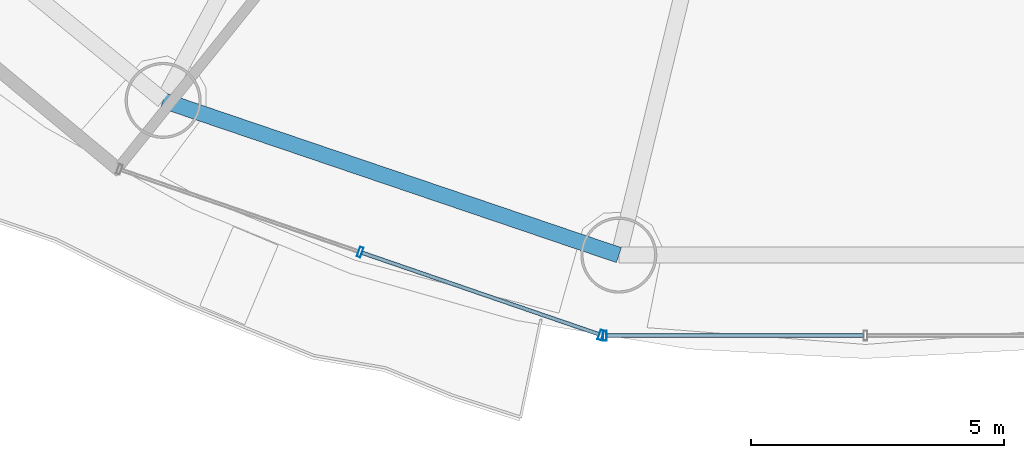
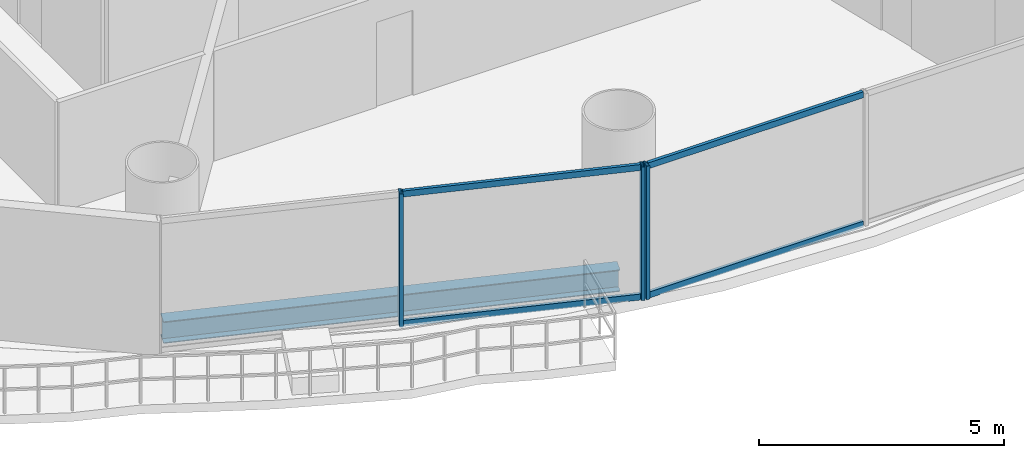
# One storey, part 4 of 29: 7 members, 1 beam, 2 elements without a shape of their own.
"""IFC4 building model written with IfcOpenShell, lengths in metres."""

import ifcopenshell
import ifcopenshell.guid

model = None  # the IFC model being written
_history = None  # IfcOwnerHistory: only IFC2X3 demands one
_inside = {}  # id of a spatial element -> (the spatial element, [elements in it])
_under = {}  # id of a project, library or spatial element -> (it, [spatial elements below it])
_declared = {}  # id of a project -> (the project, [libraries it declares])
_typed = {}  # id of a type object -> (the type object, [elements of that type])
_made_of = {}  # id of a material, layer set ... -> (it, [elements and type objects made of it])


def new_model(schema):
    """Start an empty IFC model of exactly this schema.

    Asked for "IFC4X3", IfcOpenShell would pick the latest addendum, in which some entities
    have other attributes; the version numbers below select the first issue.
    IFC2X3 requires an IfcOwnerHistory on every rooted entity: one is made here for all.
    """
    global model, _history
    if schema == "IFC4X3":
        model = ifcopenshell.file(schema_version=(4, 3, 0, 0))
    else:
        model = ifcopenshell.file(schema=schema)
    _inside.clear()
    _under.clear()
    _declared.clear()
    _typed.clear()
    _made_of.clear()
    _history = None
    if model.schema == "IFC2X3":
        org = make("IfcOrganization", Name="unknown")
        user = make(
            "IfcPersonAndOrganization",
            ThePerson=make("IfcPerson", FamilyName="unknown"),
            TheOrganization=org,
        )
        app = make(
            "IfcApplication",
            ApplicationDeveloper=org,
            Version="unknown",
            ApplicationFullName="unknown",
            ApplicationIdentifier="unknown",
        )
        _history = make(
            "IfcOwnerHistory",
            OwningUser=user,
            OwningApplication=app,
            ChangeAction="ADDED",
            CreationDate=0,
        )
    return model


def make(cls, **values):
    """One entity of the class cls with the attributes given. An attribute that is None is left unset."""
    return model.create_entity(
        cls, **{name: value for name, value in values.items() if value is not None}
    )


def rooted(cls, **values):
    """An entity with a GlobalId (a new one), such as an element, a storey or a relation."""
    return make(cls, GlobalId=ifcopenshell.guid.new(), OwnerHistory=_history, **values)


def si_unit(unit_type, name, prefix=None):
    """IfcSIUnit, for example si_unit("LENGTHUNIT", "METRE", prefix="MILLI")."""
    return make("IfcSIUnit", UnitType=unit_type, Prefix=prefix, Name=name)


def assignment(units):
    """IfcUnitAssignment: the units of a project."""
    return None if units is None else make("IfcUnitAssignment", Units=units)


def point(xyz):
    """IfcCartesianPoint."""
    return None if xyz is None else make("IfcCartesianPoint", Coordinates=xyz)


def direction(xyz):
    """IfcDirection."""
    return None if xyz is None else make("IfcDirection", DirectionRatios=xyz)


def frame(location, z_axis=None, x_axis=None):
    """IfcAxis2Placement3D, a coordinate frame: its origin and axes. An axis left out is left unset."""
    return make(
        "IfcAxis2Placement3D",
        Location=point(location),
        Axis=direction(z_axis),
        RefDirection=direction(x_axis),
    )


def frame_2d(location, x_axis=None):
    """IfcAxis2Placement2D, a coordinate frame in the plane: its origin and x axis."""
    return make(
        "IfcAxis2Placement2D", Location=point(location), RefDirection=direction(x_axis)
    )


def origin():
    """The frame at (0, 0, 0) with its axes left unset."""
    return frame((0.0, 0.0, 0.0))


def origin_2d():
    """The frame at (0, 0) in the plane with its x axis left unset."""
    return frame_2d((0.0, 0.0))


def place(relative_to, where):
    """IfcLocalPlacement: puts the frame where relative to a parent placement (None: the world)."""
    return make(
        "IfcLocalPlacement", PlacementRelTo=relative_to, RelativePlacement=where
    )


def context(
    kind, dimensions, precision=None, world=None, true_north=None, identifier=None
):
    """IfcGeometricRepresentationContext, for example the 3D "Model" context."""
    return make(
        "IfcGeometricRepresentationContext",
        ContextIdentifier=identifier,
        ContextType=kind,
        CoordinateSpaceDimension=dimensions,
        Precision=precision,
        WorldCoordinateSystem=world,
        TrueNorth=true_north,
    )


def subcontext(parent, identifier, kind, view, scale=None):
    """IfcGeometricRepresentationSubContext, for example "Body" below "Model"."""
    return make(
        "IfcGeometricRepresentationSubContext",
        ContextIdentifier=identifier,
        ContextType=kind,
        ParentContext=parent,
        TargetScale=scale,
        TargetView=view,
    )


def project(units=None, contexts=None):
    """IfcProject with its units and contexts."""
    return rooted(
        "IfcProject",
        Name="project",
        RepresentationContexts=contexts,
        UnitsInContext=assignment(units),
    )


def spatial(cls, under=None, at=None, **own):
    """A site, building, storey or space (cls), placed at a placement, below another one or the project."""
    s = rooted(cls, ObjectPlacement=at, **own)
    if under is not None:
        _under.setdefault(under.id(), (under, []))[1].append(s)
    return s


def profile(cls, at=None, kind="AREA", **sizes):
    """A parametric profile (cls). Its sizes go by their IFC names, for example OverallWidth=200.0."""
    return make(cls, ProfileType=kind, Position=at, **sizes)


def hollow_rectangle(**sizes):
    """IfcRectangleHollowProfileDef."""
    return profile("IfcRectangleHollowProfileDef", **sizes)


def i_section(**sizes):
    """IfcIShapeProfileDef."""
    return profile("IfcIShapeProfileDef", **sizes)


def extrude(swept, where, along, depth):
    """IfcExtrudedAreaSolid: the profile swept, set in the frame where, extruded along a direction by depth."""
    return make(
        "IfcExtrudedAreaSolid",
        SweptArea=swept,
        Position=where,
        ExtrudedDirection=direction(along),
        Depth=depth,
    )


def shape(context_of_items, identifier, shape_type, items):
    """IfcShapeRepresentation: the items that make up one representation, for example the "Body"."""
    return make(
        "IfcShapeRepresentation",
        ContextOfItems=context_of_items,
        RepresentationIdentifier=identifier,
        RepresentationType=shape_type,
        Items=items,
    )


def source(mapping_origin, context_of_items, identifier, shape_type, items):
    """IfcRepresentationMap: a shape defined once, which mapped items show again and again."""
    return make(
        "IfcRepresentationMap",
        MappingOrigin=mapping_origin,
        MappedRepresentation=shape(context_of_items, identifier, shape_type, items),
    )


def transform(
    local_origin,
    x_axis=None,
    y_axis=None,
    z_axis=None,
    scale=None,
    scale2=None,
    scale3=None,
    uniform=True,
):
    """IfcCartesianTransformationOperator3D, or its non-uniform kind. x_axis, y_axis, z_axis: its Axis1, 2, 3."""
    if uniform:
        return make(
            "IfcCartesianTransformationOperator3D",
            Axis1=direction(x_axis),
            Axis2=direction(y_axis),
            LocalOrigin=point(local_origin),
            Scale=scale,
            Axis3=direction(z_axis),
        )
    return make(
        "IfcCartesianTransformationOperator3DnonUniform",
        Axis1=direction(x_axis),
        Axis2=direction(y_axis),
        LocalOrigin=point(local_origin),
        Scale=scale,
        Axis3=direction(z_axis),
        Scale2=scale2,
        Scale3=scale3,
    )


def mapped(mapping_source, mapping_target):
    """IfcMappedItem: shows the shape of a source again, moved by a transform."""
    return make(
        "IfcMappedItem", MappingSource=mapping_source, MappingTarget=mapping_target
    )


def material(Name=None, Category=None):
    """IfcMaterial."""
    return make("IfcMaterial", Name=Name, Category=Category)


def material_profile(
    of_material, cross_section, Name=None, Category=None, Priority=None
):
    """IfcMaterialProfile: a cross section and its material."""
    return make(
        "IfcMaterialProfile",
        Name=Name,
        Material=of_material,
        Profile=cross_section,
        Priority=Priority,
        Category=Category,
    )


def profile_set(profiles, Name=None, composite=None):
    """IfcMaterialProfileSet."""
    return make(
        "IfcMaterialProfileSet",
        Name=Name,
        MaterialProfiles=profiles,
        CompositeProfile=composite,
    )


def made_of(thing, what):
    """Note that an element or type object is made of a material, layer set ...; save() writes the relation."""
    if what is not None:
        _made_of.setdefault(what.id(), (what, []))[1].append(thing)
    return thing


def type_object(cls, material=None, **own):
    """A type object (cls), such as IfcWallType, which elements share."""
    return made_of(rooted(cls, **own), material)


def element(
    cls,
    number,
    at=None,
    inside=None,
    cuts=None,
    type_object=None,
    material=None,
    context=None,
    identifier="Body",
    shape_type=None,
    held_by="IfcProductDefinitionShape",
    body=None,
    shapes=None,
    **own,
):
    """One element of the class cls, such as IfcWall. Its Tag is "e" and its number.

    at: its placement. inside: the storey or other place that contains it. cuts: it is an
    opening in that element (IfcRelVoidsElement). A single representation is given by context,
    identifier, shape_type and body (its items); several are given by shapes. held_by: the class
    of the entity that holds the representations. save() writes the other relations.
    """
    e = rooted(cls, Tag="e%d" % number, ObjectPlacement=at, **own)
    if body is not None:
        shapes = [shape(context, identifier, shape_type, body)]
    if shapes is not None:
        e.Representation = make(held_by, Representations=shapes)
    if inside is not None:
        _inside.setdefault(inside.id(), (inside, []))[1].append(e)
    if cuts is not None:
        rooted(
            "IfcRelVoidsElement", RelatingBuildingElement=cuts, RelatedOpeningElement=e
        )
    if type_object is not None:
        _typed.setdefault(type_object.id(), (type_object, []))[1].append(e)
    return made_of(e, material)


def aggregate(whole, parts):
    """IfcRelAggregates: a whole, such as a stair, and the parts it consists of."""
    return rooted("IfcRelAggregates", RelatingObject=whole, RelatedObjects=parts)


def save(model, path):
    """Write the relations noted so far, then the file.

    IfcRelAggregates (storeys below a building ...), IfcRelContainedInSpatialStructure (elements
    in a storey), IfcRelDefinesByType, IfcRelAssociatesMaterial and IfcRelDeclares: one each for
    every whole, place, type object, material and project.
    """
    for whole, parts in _under.values():
        aggregate(whole, parts)
    for where, things in _inside.values():
        rooted(
            "IfcRelContainedInSpatialStructure",
            RelatedElements=things,
            RelatingStructure=where,
        )
    for kind, things in _typed.values():
        rooted("IfcRelDefinesByType", RelatedObjects=things, RelatingType=kind)
    for what, things in _made_of.values():
        rooted("IfcRelAssociatesMaterial", RelatedObjects=things, RelatingMaterial=what)
    for by, libraries in _declared.values():
        rooted("IfcRelDeclares", RelatingContext=by, RelatedDefinitions=libraries)
    model.write(path)


model = new_model("IFC4")

# Units and contexts
model_context = context("Model", 3, precision=1e-05, world=origin(), true_north=direction((-0.2419218956, 0.970295726276)))
body_context = subcontext(model_context, "Body", "Model", "MODEL_VIEW")
ifc_project = project(units=[si_unit("LENGTHUNIT", "METRE"), si_unit("AREAUNIT", "SQUARE_METRE"), si_unit("VOLUMEUNIT", "CUBIC_METRE"), si_unit("PLANEANGLEUNIT", "RADIAN"), si_unit("MASSUNIT", "GRAM", prefix="KILO")], contexts=[model_context])

# Site, building, storey
site_placement = place(None, origin())
site = spatial("IfcSite", under=ifc_project, at=site_placement, CompositionType="ELEMENT")
building_placement = place(site_placement, origin())
building = spatial("IfcBuilding", under=site, at=building_placement, Name="Cobrevalo Terracotta Tower", CompositionType="ELEMENT")
storey_placement = place(building_placement, frame((0.0, 0.0, 115.800048828125)))
storey = spatial("IfcBuildingStorey", under=building, at=storey_placement, Name="L30", CompositionType="ELEMENT", Elevation=115.800048828125)

# Beam
ifc_material_1 = material(Name="Steel S355", Category="steel")
ifc_material_profile_1 = material_profile(ifc_material_1, i_section(OverallWidth=0.31201171875, OverallDepth=0.54296875, WebThickness=0.0126953125, FlangeThickness=0.020263671875, at=origin_2d()), Name="W 530x150")
ifc_profile_set_1 = profile_set([ifc_material_profile_1], Name="Steel S355")
beam_type = type_object("IfcBeamType", Name="Structural Spandrel W 530x150 (Steel S355)", PredefinedType="SPANDREL", material=ifc_profile_set_1)
beam_placement = place(storey_placement, frame((24.138427734375, 9.79638671875, -0.546630859375), z_axis=(0.94691835344, -0.321474154356, 0.0), x_axis=(0.321474154356, 0.94691835344, 0.0)))
element("IfcBeam", 1, at=beam_placement, inside=storey, type_object=beam_type, Name="L30 perimeter ring spandrel 11", PredefinedType="SPANDREL", context=body_context, shape_type="SweptSolid", body=[
    extrude(i_section(OverallWidth=0.31201171875, OverallDepth=0.54296875, WebThickness=0.0126953125, FlangeThickness=0.020263671875, at=origin_2d()), origin(), (0.0, 0.0, 1.0), 9.498291015625),
])

# Curtain wall, members
ifc_material_2 = material(Name="Anodized aluminium", Category="aluminium")
curtain_wall_type = type_object("IfcCurtainWallType", Name="Lower-tower unitised acoustic low-E curtain wall CW-U1", PredefinedType="NOTDEFINED", material=ifc_material_2)
curtain_wall_1_placement = place(storey_placement, origin())
curtain_wall_1 = element("IfcCurtainWall", 2, at=curtain_wall_1_placement, inside=storey, type_object=curtain_wall_type, Name="L30 curtain wall CW-L30-S11", PredefinedType="NOTDEFINED")
ifc_material_profile_2 = material_profile(ifc_material_2, hollow_rectangle(XDim=0.074951171875, YDim=0.199951171875, WallThickness=0.0048828125, at=origin_2d()), Name="CWM 75x200")
ifc_profile_set_2 = profile_set([ifc_material_profile_2], Name="Anodized aluminium")
member_type_1 = type_object("IfcMemberType", Name="Lower/mid tower unitised mullion 75x200", PredefinedType="MULLION", material=ifc_profile_set_2)
shared_shape_1 = source(origin(), body_context, "Body", "SweptSolid", [
    extrude(hollow_rectangle(XDim=0.074951171875, YDim=0.199951171875, WallThickness=0.0048828125, at=origin_2d()), origin(), (0.0, 0.0, 1.0), 3.324951171875),
])
member_1_placement = place(storey_placement, frame((28.027587890625, 6.8017578125, 0.0), z_axis=(0.0, 0.0, 1.0), x_axis=(0.94559809868, -0.325337110968, 0.0)))
member_1 = element("IfcMember", 3, at=member_1_placement, type_object=member_type_1, Name="CW-L30-S11 vertical mullion 02", PredefinedType="MULLION", context=body_context, shape_type="MappedRepresentation", body=[
    mapped(shared_shape_1, transform((0.0, 0.0, 0.0), scale=1.0)),
])
member_2_placement = place(storey_placement, frame((32.778564453125, 5.1669921875, 0.0), z_axis=(0.0, 0.0, 1.0), x_axis=(0.94559809868, -0.325337110968, 0.0)))
member_2 = element("IfcMember", 4, at=member_2_placement, type_object=member_type_1, Name="CW-L30-S11 vertical mullion 03", PredefinedType="MULLION", context=body_context, shape_type="MappedRepresentation", body=[
    mapped(shared_shape_1, transform((0.0, 0.0, 0.0), scale=1.0)),
])

# Curtain wall, member
curtain_wall_2_placement = place(storey_placement, origin())
curtain_wall_2 = element("IfcCurtainWall", 5, at=curtain_wall_2_placement, inside=storey, type_object=curtain_wall_type, Name="L30 curtain wall CW-L30-S12", PredefinedType="NOTDEFINED")
member_3_placement = place(storey_placement, frame((32.8564453125, 5.154052734375, 0.0), z_axis=(0.0, 0.0, 1.0), x_axis=(1.0, 0.0, 0.0)))
member_3 = element("IfcMember", 6, at=member_3_placement, type_object=member_type_1, Name="CW-L30-S12 vertical mullion 01", PredefinedType="MULLION", context=body_context, shape_type="MappedRepresentation", body=[
    mapped(shared_shape_1, transform((0.0, 0.0, 0.0), scale=1.0)),
])

# Member
ifc_material_profile_3 = material_profile(ifc_material_2, hollow_rectangle(XDim=0.074951171875, YDim=0.14990234375, WallThickness=0.00439453125, at=origin_2d()), Name="CWT 75x150")
ifc_profile_set_3 = profile_set([ifc_material_profile_3], Name="Anodized aluminium")
member_type_2 = type_object("IfcMemberType", Name="Tower unitised aluminium transom 75x150", PredefinedType="USERDEFINED", material=ifc_profile_set_3)
shared_shape_2 = source(origin(), body_context, "Body", "SweptSolid", [
    extrude(hollow_rectangle(XDim=0.074951171875, YDim=0.14990234375, WallThickness=0.00439453125, at=origin_2d()), origin(), (0.0, 0.0, 1.0), 4.944580078125),
])
member_4_placement = place(storey_placement, frame((28.065185546875, 6.788818359375, 0.050048828125), z_axis=(0.945597859971, -0.32533780478, 0.0), x_axis=(0.32533780478, 0.945597859971, 0.0)))
member_4 = element("IfcMember", 7, at=member_4_placement, type_object=member_type_2, Name="CW-L30-S11 transom B02-T1", ObjectType="TRANSOM", PredefinedType="USERDEFINED", context=body_context, shape_type="MappedRepresentation", body=[
    mapped(shared_shape_2, transform((0.0, 0.0, 0.0), scale=1.0)),
])

member_5_placement = place(storey_placement, frame((28.065185546875, 6.788818359375, 3.27490234375), z_axis=(0.945597859971, -0.32533780478, 0.0), x_axis=(0.32533780478, 0.945597859971, 0.0)))
member_5 = element("IfcMember", 8, at=member_5_placement, type_object=member_type_2, Name="CW-L30-S11 transom B02-T2", ObjectType="TRANSOM", PredefinedType="USERDEFINED", context=body_context, shape_type="MappedRepresentation", body=[
    mapped(shared_shape_2, transform((0.0, 0.0, 0.0), scale=1.0)),
])

aggregate(curtain_wall_1, [member_1, member_2, member_4, member_5])

shared_shape_3 = source(origin(), body_context, "Body", "SweptSolid", [
    extrude(hollow_rectangle(XDim=0.074951171875, YDim=0.14990234375, WallThickness=0.00439453125, at=origin_2d()), origin(), (0.0, 0.0, 1.0), 5.0634765625),
])
member_6_placement = place(storey_placement, frame((32.896484375, 5.154052734375, 0.050048828125), z_axis=(1.0, 0.0, 0.0), x_axis=(0.0, 1.0, 0.0)))
member_6 = element("IfcMember", 9, at=member_6_placement, type_object=member_type_2, Name="CW-L30-S12 transom B01-T1", ObjectType="TRANSOM", PredefinedType="USERDEFINED", context=body_context, shape_type="MappedRepresentation", body=[
    mapped(shared_shape_3, transform((0.0, 0.0, 0.0), scale=1.0)),
])

member_7_placement = place(storey_placement, frame((32.896484375, 5.154052734375, 3.27490234375), z_axis=(1.0, 0.0, 0.0), x_axis=(0.0, 1.0, 0.0)))
member_7 = element("IfcMember", 10, at=member_7_placement, type_object=member_type_2, Name="CW-L30-S12 transom B01-T2", ObjectType="TRANSOM", PredefinedType="USERDEFINED", context=body_context, shape_type="MappedRepresentation", body=[
    mapped(shared_shape_3, transform((0.0, 0.0, 0.0), scale=1.0)),
])

aggregate(curtain_wall_2, [member_3, member_6, member_7])

save(model, "model.ifc")
